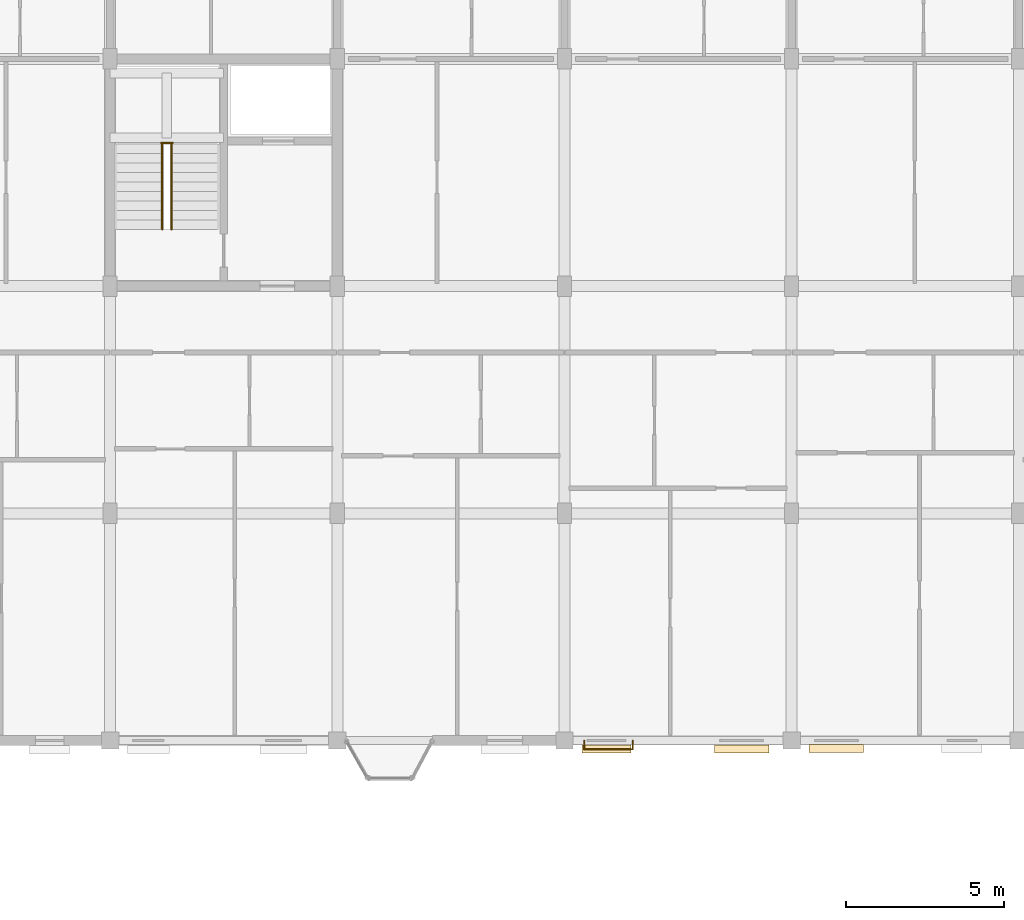
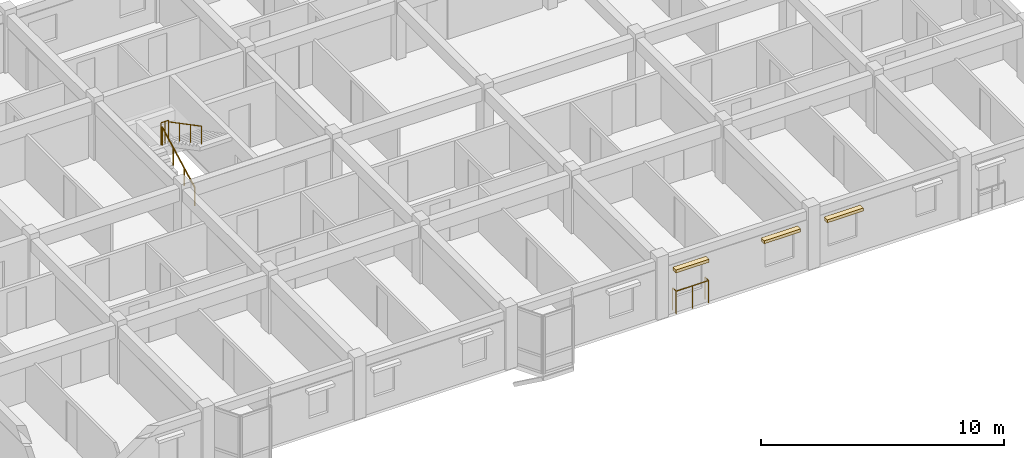
# One storey, part 78 of 79: 4 railings, 3 coverings.
"""IFC4 building model written with IfcOpenShell, lengths in metres."""

import ifcopenshell
import ifcopenshell.guid

model = None  # the IFC model being written
_history = None  # IfcOwnerHistory: only IFC2X3 demands one
_inside = {}  # id of a spatial element -> (the spatial element, [elements in it])
_under = {}  # id of a project, library or spatial element -> (it, [spatial elements below it])
_declared = {}  # id of a project -> (the project, [libraries it declares])
_typed = {}  # id of a type object -> (the type object, [elements of that type])
_made_of = {}  # id of a material, layer set ... -> (it, [elements and type objects made of it])


def new_model(schema):
    """Start an empty IFC model of exactly this schema.

    Asked for "IFC4X3", IfcOpenShell would pick the latest addendum, in which some entities
    have other attributes; the version numbers below select the first issue.
    IFC2X3 requires an IfcOwnerHistory on every rooted entity: one is made here for all.
    """
    global model, _history
    if schema == "IFC4X3":
        model = ifcopenshell.file(schema_version=(4, 3, 0, 0))
    else:
        model = ifcopenshell.file(schema=schema)
    _inside.clear()
    _under.clear()
    _declared.clear()
    _typed.clear()
    _made_of.clear()
    _history = None
    if model.schema == "IFC2X3":
        org = make("IfcOrganization", Name="unknown")
        user = make(
            "IfcPersonAndOrganization",
            ThePerson=make("IfcPerson", FamilyName="unknown"),
            TheOrganization=org,
        )
        app = make(
            "IfcApplication",
            ApplicationDeveloper=org,
            Version="unknown",
            ApplicationFullName="unknown",
            ApplicationIdentifier="unknown",
        )
        _history = make(
            "IfcOwnerHistory",
            OwningUser=user,
            OwningApplication=app,
            ChangeAction="ADDED",
            CreationDate=0,
        )
    return model


def make(cls, **values):
    """One entity of the class cls with the attributes given. An attribute that is None is left unset."""
    return model.create_entity(
        cls, **{name: value for name, value in values.items() if value is not None}
    )


def rooted(cls, **values):
    """An entity with a GlobalId (a new one), such as an element, a storey or a relation."""
    return make(cls, GlobalId=ifcopenshell.guid.new(), OwnerHistory=_history, **values)


def si_unit(unit_type, name, prefix=None):
    """IfcSIUnit, for example si_unit("LENGTHUNIT", "METRE", prefix="MILLI")."""
    return make("IfcSIUnit", UnitType=unit_type, Prefix=prefix, Name=name)


def assignment(units):
    """IfcUnitAssignment: the units of a project."""
    return None if units is None else make("IfcUnitAssignment", Units=units)


def point(xyz):
    """IfcCartesianPoint."""
    return None if xyz is None else make("IfcCartesianPoint", Coordinates=xyz)


def direction(xyz):
    """IfcDirection."""
    return None if xyz is None else make("IfcDirection", DirectionRatios=xyz)


def frame(location, z_axis=None, x_axis=None):
    """IfcAxis2Placement3D, a coordinate frame: its origin and axes. An axis left out is left unset."""
    return make(
        "IfcAxis2Placement3D",
        Location=point(location),
        Axis=direction(z_axis),
        RefDirection=direction(x_axis),
    )


def frame_2d(location, x_axis=None):
    """IfcAxis2Placement2D, a coordinate frame in the plane: its origin and x axis."""
    return make(
        "IfcAxis2Placement2D", Location=point(location), RefDirection=direction(x_axis)
    )


def origin():
    """The frame at (0, 0, 0) with its axes left unset."""
    return frame((0.0, 0.0, 0.0))


def origin_2d():
    """The frame at (0, 0) in the plane with its x axis left unset."""
    return frame_2d((0.0, 0.0))


def place(relative_to, where):
    """IfcLocalPlacement: puts the frame where relative to a parent placement (None: the world)."""
    return make(
        "IfcLocalPlacement", PlacementRelTo=relative_to, RelativePlacement=where
    )


def context(
    kind, dimensions, precision=None, world=None, true_north=None, identifier=None
):
    """IfcGeometricRepresentationContext, for example the 3D "Model" context."""
    return make(
        "IfcGeometricRepresentationContext",
        ContextIdentifier=identifier,
        ContextType=kind,
        CoordinateSpaceDimension=dimensions,
        Precision=precision,
        WorldCoordinateSystem=world,
        TrueNorth=true_north,
    )


def subcontext(parent, identifier, kind, view, scale=None):
    """IfcGeometricRepresentationSubContext, for example "Body" below "Model"."""
    return make(
        "IfcGeometricRepresentationSubContext",
        ContextIdentifier=identifier,
        ContextType=kind,
        ParentContext=parent,
        TargetScale=scale,
        TargetView=view,
    )


def project(units=None, contexts=None):
    """IfcProject with its units and contexts."""
    return rooted(
        "IfcProject",
        Name="project",
        RepresentationContexts=contexts,
        UnitsInContext=assignment(units),
    )


def spatial(cls, under=None, at=None, **own):
    """A site, building, storey or space (cls), placed at a placement, below another one or the project."""
    s = rooted(cls, ObjectPlacement=at, **own)
    if under is not None:
        _under.setdefault(under.id(), (under, []))[1].append(s)
    return s


def profile(cls, at=None, kind="AREA", **sizes):
    """A parametric profile (cls). Its sizes go by their IFC names, for example OverallWidth=200.0."""
    return make(cls, ProfileType=kind, Position=at, **sizes)


def rectangle(**sizes):
    """IfcRectangleProfileDef."""
    return profile("IfcRectangleProfileDef", **sizes)


def circle(**sizes):
    """IfcCircleProfileDef."""
    return profile("IfcCircleProfileDef", **sizes)


def extrude(swept, where, along, depth):
    """IfcExtrudedAreaSolid: the profile swept, set in the frame where, extruded along a direction by depth."""
    return make(
        "IfcExtrudedAreaSolid",
        SweptArea=swept,
        Position=where,
        ExtrudedDirection=direction(along),
        Depth=depth,
    )


def shape(context_of_items, identifier, shape_type, items):
    """IfcShapeRepresentation: the items that make up one representation, for example the "Body"."""
    return make(
        "IfcShapeRepresentation",
        ContextOfItems=context_of_items,
        RepresentationIdentifier=identifier,
        RepresentationType=shape_type,
        Items=items,
    )


def material(Name=None, Category=None):
    """IfcMaterial."""
    return make("IfcMaterial", Name=Name, Category=Category)


def layer(
    of_material, thickness, ventilated=None, Name=None, Category=None, Priority=None
):
    """IfcMaterialLayer: one layer of a wall or slab, of a material (None: an air gap)."""
    return make(
        "IfcMaterialLayer",
        Material=of_material,
        LayerThickness=thickness,
        IsVentilated=ventilated,
        Name=Name,
        Category=Category,
        Priority=Priority,
    )


def layer_set(layers, Name=None):
    """IfcMaterialLayerSet."""
    return make("IfcMaterialLayerSet", MaterialLayers=layers, LayerSetName=Name)


def made_of(thing, what):
    """Note that an element or type object is made of a material, layer set ...; save() writes the relation."""
    if what is not None:
        _made_of.setdefault(what.id(), (what, []))[1].append(thing)
    return thing


def type_object(cls, material=None, **own):
    """A type object (cls), such as IfcWallType, which elements share."""
    return made_of(rooted(cls, **own), material)


def element(
    cls,
    number,
    at=None,
    inside=None,
    cuts=None,
    type_object=None,
    material=None,
    context=None,
    identifier="Body",
    shape_type=None,
    held_by="IfcProductDefinitionShape",
    body=None,
    shapes=None,
    **own,
):
    """One element of the class cls, such as IfcWall. Its Tag is "e" and its number.

    at: its placement. inside: the storey or other place that contains it. cuts: it is an
    opening in that element (IfcRelVoidsElement). A single representation is given by context,
    identifier, shape_type and body (its items); several are given by shapes. held_by: the class
    of the entity that holds the representations. save() writes the other relations.
    """
    e = rooted(cls, Tag="e%d" % number, ObjectPlacement=at, **own)
    if body is not None:
        shapes = [shape(context, identifier, shape_type, body)]
    if shapes is not None:
        e.Representation = make(held_by, Representations=shapes)
    if inside is not None:
        _inside.setdefault(inside.id(), (inside, []))[1].append(e)
    if cuts is not None:
        rooted(
            "IfcRelVoidsElement", RelatingBuildingElement=cuts, RelatedOpeningElement=e
        )
    if type_object is not None:
        _typed.setdefault(type_object.id(), (type_object, []))[1].append(e)
    return made_of(e, material)


def aggregate(whole, parts):
    """IfcRelAggregates: a whole, such as a stair, and the parts it consists of."""
    return rooted("IfcRelAggregates", RelatingObject=whole, RelatedObjects=parts)


def save(model, path):
    """Write the relations noted so far, then the file.

    IfcRelAggregates (storeys below a building ...), IfcRelContainedInSpatialStructure (elements
    in a storey), IfcRelDefinesByType, IfcRelAssociatesMaterial and IfcRelDeclares: one each for
    every whole, place, type object, material and project.
    """
    for whole, parts in _under.values():
        aggregate(whole, parts)
    for where, things in _inside.values():
        rooted(
            "IfcRelContainedInSpatialStructure",
            RelatedElements=things,
            RelatingStructure=where,
        )
    for kind, things in _typed.values():
        rooted("IfcRelDefinesByType", RelatedObjects=things, RelatingType=kind)
    for what, things in _made_of.values():
        rooted("IfcRelAssociatesMaterial", RelatedObjects=things, RelatingMaterial=what)
    for by, libraries in _declared.values():
        rooted("IfcRelDeclares", RelatingContext=by, RelatedDefinitions=libraries)
    model.write(path)


model = new_model("IFC4")

# Units and contexts
model_context = context("Model", 3, precision=1e-05, world=origin(), true_north=direction((0.0, 1.0)))
body_context = subcontext(model_context, "Body", "Model", "MODEL_VIEW")
ifc_project = project(units=[si_unit("LENGTHUNIT", "METRE"), si_unit("AREAUNIT", "SQUARE_METRE"), si_unit("VOLUMEUNIT", "CUBIC_METRE"), si_unit("PLANEANGLEUNIT", "RADIAN"), si_unit("MASSUNIT", "GRAM", prefix="KILO"), si_unit("THERMODYNAMICTEMPERATUREUNIT", "KELVIN"), si_unit("POWERUNIT", "WATT")], contexts=[model_context])

# Site, building, storey
site_placement = place(None, origin())
site = spatial("IfcSite", under=ifc_project, at=site_placement, CompositionType="ELEMENT")
building_placement = place(site_placement, origin())
building = spatial("IfcBuilding", under=site, at=building_placement, Name="Tavuni Mirador Residences", CompositionType="ELEMENT")
storey_placement = place(building_placement, frame((0.0, 0.0, 13.949951171875)))
storey = spatial("IfcBuildingStorey", under=building, at=storey_placement, Name="L04", CompositionType="ELEMENT", Elevation=13.949951171875)

# Coverings
ifc_material_1 = material(Name="Natural coral limestone", Category="masonry")
ifc_layer = layer(ifc_material_1, 0.054931640625, Name="Natural coral limestone", Category="masonry")
ifc_layer_set = layer_set([ifc_layer], Name="Natural coral limestone")
covering_type = type_object("IfcCoveringType", Name="CVT-CLAD-CORAL", PredefinedType="CLADDING", material=ifc_layer_set)
covering_placement = place(storey_placement, frame((55.3349609375, 143.73291015625, 2.1650390625), z_axis=(0.0, 0.0, 1.0), x_axis=(1.0, 0.0, 0.0)))
element("IfcCovering", 1, at=covering_placement, inside=storey, type_object=covering_type, Name="HOOD-0619", PredefinedType="CLADDING", context=body_context, shape_type="SweptSolid", body=[
    extrude(rectangle(XDim=1.56005859375, YDim=0.25, at=origin_2d()), origin(), (0.0, 0.0, 1.0), 0.14990234375),
])
for number, where, z_axis, x_axis, name in (
    (2, (59.614990234375, 143.73291015625, 2.1650390625), (0.0, 0.0, 1.0), (1.0, 0.0, 0.0), "HOOD-0620"),
    (3, (62.614990234375, 143.740478515625, 2.1650390625), (0.0, 0.0, 1.0), (1.0, 0.0, 0.0), "HOOD-0621"),
):
    element("IfcCovering", number, at=place(storey_placement, frame(where, z_axis=z_axis, x_axis=x_axis)), inside=storey, type_object=covering_type, Name=name, PredefinedType="CLADDING", context=body_context, shape_type="SweptSolid", body=[
        extrude(rectangle(XDim=1.719970703125, YDim=0.25, at=origin_2d()), origin(), (0.0, 0.0, 1.0), 0.14990234375),
    ])

# Railings
ifc_material_2 = material(Name="Structural steel S355", Category="steel")
railing_type_1 = type_object("IfcRailingType", Name="RT-BL1150", PredefinedType="BALUSTRADE", material=ifc_material_2)
railing_1_placement = place(storey_placement, frame((54.625, 144.0, 0.0400390625)))
element("IfcRailing", 4, at=railing_1_placement, inside=storey, type_object=railing_type_1, Name="BALC-BLK-C-L04-S06", PredefinedType="BALUSTRADE", context=body_context, shape_type="SweptSolid", body=[
    extrude(circle(Radius=0.02392578125, at=origin_2d()), frame((0.0, 0.0, 1.1259765625), z_axis=(0.0, -1.0, 0.0), x_axis=(1.0, 0.0, 0.0)), (0.0, 0.0, 1.0), 0.284912109375),
    extrude(circle(Radius=0.02392578125, at=origin_2d()), frame((0.0, -0.284912109375, 1.1259765625), z_axis=(1.0, 0.0, 0.0), x_axis=(0.0, 1.0, 0.0)), (0.0, 0.0, 1.0), 1.5400390625),
    extrude(circle(Radius=0.02392578125, at=origin_2d()), frame((1.5400390625, -0.284912109375, 1.1259765625), z_axis=(0.0, 1.0, 0.0), x_axis=(-1.0, 0.0, 0.0)), (0.0, 0.0, 1.0), 0.284912109375),
    extrude(circle(Radius=0.02099609375, at=origin_2d()), origin(), (0.0, 0.0, 1.0), 1.101806640625),
    extrude(circle(Radius=0.02099609375, at=origin_2d()), frame((0.0, -0.284912109375, 0.0)), (0.0, 0.0, 1.0), 1.101806640625),
    extrude(circle(Radius=0.02099609375, at=origin_2d()), frame((0.77001953125, -0.284912109375, 0.0)), (0.0, 0.0, 1.0), 1.101806640625),
    extrude(circle(Radius=0.02099609375, at=origin_2d()), frame((1.5400390625, -0.284912109375, 0.0)), (0.0, 0.0, 1.0), 1.101806640625),
    extrude(circle(Radius=0.02099609375, at=origin_2d()), frame((1.5400390625, 0.0, 0.0)), (0.0, 0.0, 1.0), 1.101806640625),
])
railing_type_2 = type_object("IfcRailingType", Name="RT-GR1120", PredefinedType="GUARDRAIL", material=ifc_material_2)
railing_2_placement = place(storey_placement, frame((41.219970703125, 162.93994140625, 1.574951171875)))
element("IfcRailing", 5, at=railing_2_placement, inside=storey, type_object=railing_type_2, Name="GRD-HL-ST6-L04", PredefinedType="GUARDRAIL", context=body_context, shape_type="SweptSolid", body=[
    extrude(circle(Radius=0.02392578125, at=origin_2d()), frame((0.0, 0.0, 1.09619140625), z_axis=(1.0, 0.0, 0.0), x_axis=(0.0, 1.0, 0.0)), (0.0, 0.0, 1.0), 0.360107421875),
    extrude(circle(Radius=0.02099609375, at=origin_2d()), origin(), (0.0, 0.0, 1.0), 1.072021484375),
    extrude(circle(Radius=0.02099609375, at=origin_2d()), frame((0.18017578125, 0.0, 0.0)), (0.0, 0.0, 1.0), 1.072021484375),
    extrude(circle(Radius=0.02099609375, at=origin_2d()), frame((0.360107421875, 0.0, 0.0)), (0.0, 0.0, 1.0), 1.072021484375),
])
railing_type_3 = type_object("IfcRailingType", Name="RT-HR920", PredefinedType="HANDRAIL", material=ifc_material_2)
railing_3_placement = place(storey_placement, frame((41.25, 160.199951171875, 0.157470703125)))
element("IfcRailing", 6, at=railing_3_placement, inside=storey, type_object=railing_type_3, Name="HR-ST6-L04-F1", PredefinedType="HANDRAIL", context=body_context, shape_type="SweptSolid", body=[
    extrude(circle(Radius=0.02392578125, at=origin_2d()), frame((0.0, 0.0, 0.89599609375), z_axis=(0.0, 0.885397079081, 0.464835468048), x_axis=(-1.0, 0.0, 0.0)), (0.0, 0.0, 1.0), 3.04931640625),
    extrude(circle(Radius=0.02099609375, at=origin_2d()), origin(), (0.0, 0.0, 1.0), 0.871826171875),
    extrude(circle(Radius=0.02099609375, at=origin_2d()), frame((0.0, 0.89990234375, 0.472412109375)), (0.0, 0.0, 1.0), 0.871826171875),
    extrude(circle(Radius=0.02099609375, at=origin_2d()), frame((0.0, 1.800048828125, 0.945068359375)), (0.0, 0.0, 1.0), 0.871826171875),
    extrude(circle(Radius=0.02099609375, at=origin_2d()), frame((0.0, 2.699951171875, 1.41748046875)), (0.0, 0.0, 1.0), 0.871826171875),
])
railing_4_placement = place(storey_placement, frame((41.550048828125, 162.89990234375, 1.732666015625)))
element("IfcRailing", 7, at=railing_4_placement, inside=storey, type_object=railing_type_3, Name="HR-ST6-L04-F2", PredefinedType="HANDRAIL", context=body_context, shape_type="SweptSolid", body=[
    extrude(circle(Radius=0.02392578125, at=origin_2d()), frame((0.0, 0.0, 0.89599609375), z_axis=(0.0, -0.885397079081, 0.464835468048), x_axis=(1.0, 0.0, 0.0)), (0.0, 0.0, 1.0), 3.04931640625),
    extrude(circle(Radius=0.02099609375, at=origin_2d()), origin(), (0.0, 0.0, 1.0), 0.871826171875),
    extrude(circle(Radius=0.02099609375, at=origin_2d()), frame((0.0, -0.89990234375, 0.472412109375)), (0.0, 0.0, 1.0), 0.871826171875),
    extrude(circle(Radius=0.02099609375, at=origin_2d()), frame((0.0, -1.800048828125, 0.945068359375)), (0.0, 0.0, 1.0), 0.871826171875),
    extrude(circle(Radius=0.02099609375, at=origin_2d()), frame((0.0, -2.699951171875, 1.41748046875)), (0.0, 0.0, 1.0), 0.871826171875),
])

save(model, "model.ifc")
